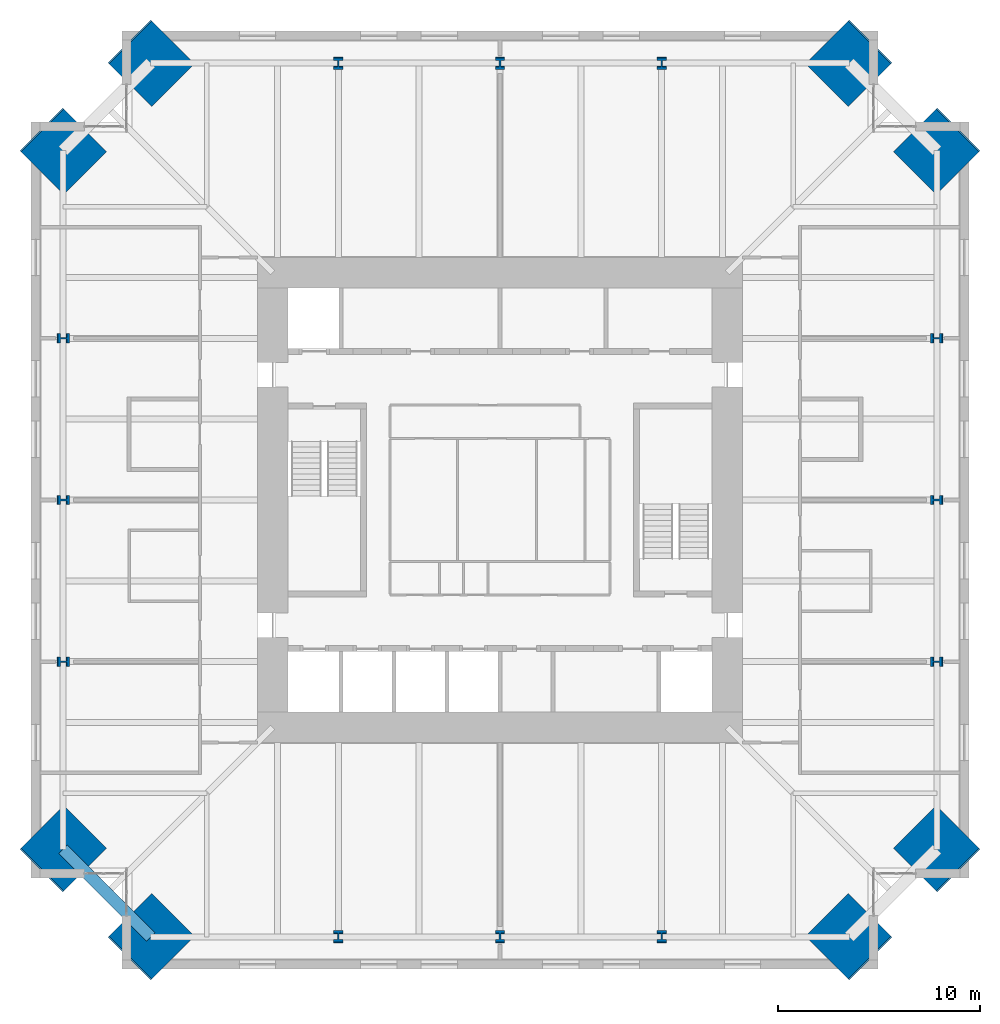
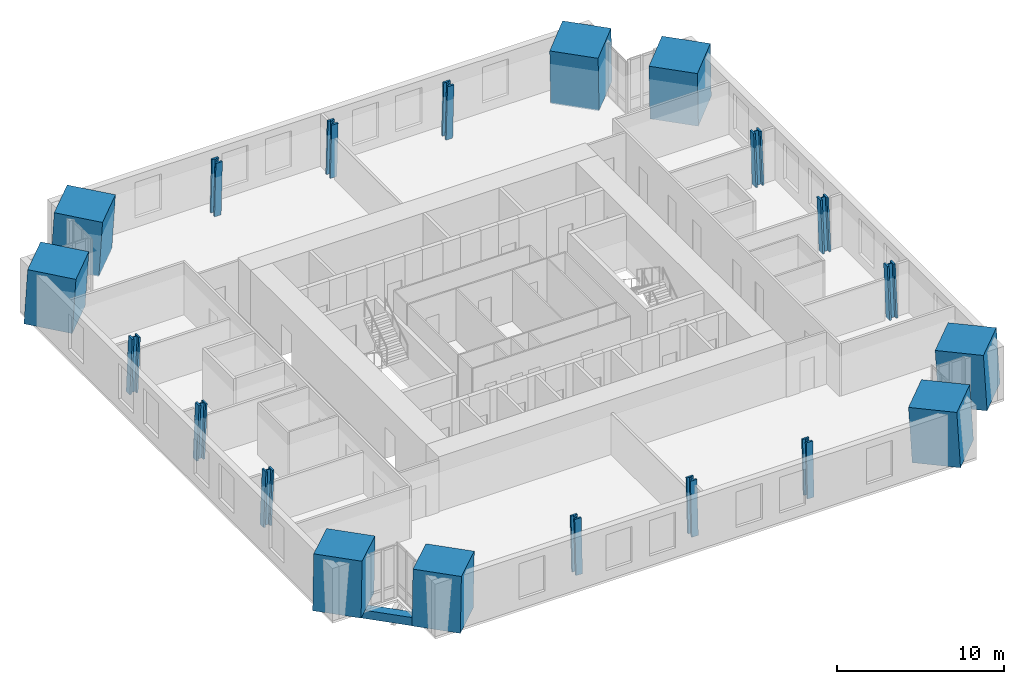
# One storey, part 1 of 15: 20 columns, 1 beam.
"""IFC4 building model written with IfcOpenShell, lengths in metres."""

from ifc_helpers import new_model, si_unit, direction, frame, origin, origin_2d, place, context, subcontext, project, spatial, rectangle, hollow_rectangle, i_section, extrude, material, material_profile, profile_set, type_object, element, save


model = new_model("IFC4")

# Units and contexts
model_context = context("Model", 3, precision=1e-05, world=origin(), true_north=direction((0.0, 1.0)))
body_context = subcontext(model_context, "Body", "Model", "MODEL_VIEW")
ifc_project = project(units=[si_unit("LENGTHUNIT", "METRE"), si_unit("AREAUNIT", "SQUARE_METRE"), si_unit("VOLUMEUNIT", "CUBIC_METRE"), si_unit("PLANEANGLEUNIT", "RADIAN"), si_unit("MASSUNIT", "GRAM", prefix="KILO")], contexts=[model_context])

# Site, building, storey
site_placement = place(None, origin())
site = spatial("IfcSite", under=ifc_project, at=site_placement, CompositionType="ELEMENT")
building_placement = place(site_placement, origin())
building = spatial("IfcBuilding", under=site, at=building_placement, Name="Peilmerk Tower", CompositionType="ELEMENT")
storey_placement = place(building_placement, frame((0.0, 0.0, 229.800048828125)))
storey = spatial("IfcBuildingStorey", under=building, at=storey_placement, Name="L50", CompositionType="ELEMENT", Elevation=229.800048828125)

# Columns
ifc_material_1 = material(Name="Concrete C90/105", Category="concrete")
ifc_material_profile_1 = material_profile(ifc_material_1, rectangle(XDim=3.0, YDim=3.0, at=origin_2d()), Name="RC 3000x3000")
ifc_profile_set_1 = profile_set([ifc_material_profile_1], Name="Concrete C90/105")
column_type_1 = type_object("IfcColumnType", Name="MC3 3000x3000 encased mega column", PredefinedType="COLUMN", material=ifc_profile_set_1)
for number, where, z_axis, x_axis, name in (
    (1, (17.28076171875, 21.630615234375, 0.0), (-0.040278731567, -0.040278731567, 0.998376305592), (0.707106781187, -0.707106781187, 0.0), "Mega column MC3 NE_N L50"),
    (2, (21.630615234375, 17.28076171875, 0.0), (-0.040278731567, -0.040278731567, 0.998376305592), (0.707106781187, -0.707106781187, 0.0), "Mega column MC3 NE_E L50"),
    (3, (21.630615234375, -17.28076171875, 0.0), (-0.040278731567, 0.040278731567, 0.998376305592), (-0.707106781187, -0.707106781187, 0.0), "Mega column MC3 SE_E L50"),
    (4, (17.28076171875, -21.630615234375, 0.0), (-0.040278731567, 0.040278731567, 0.998376305592), (-0.707106781187, -0.707106781187, 0.0), "Mega column MC3 SE_S L50"),
    (5, (-17.28076171875, -21.630615234375, 0.0), (0.040278731567, 0.040278731567, 0.998376305592), (-0.707106781187, 0.707106781187, 0.0), "Mega column MC3 SW_S L50"),
    (6, (-21.630615234375, -17.28076171875, 0.0), (0.040278731567, 0.040278731567, 0.998376305592), (-0.707106781187, 0.707106781187, 0.0), "Mega column MC3 SW_W L50"),
    (7, (-21.630615234375, 17.28076171875, 0.0), (0.040278731567, -0.040278731567, 0.998376305592), (0.707106781187, 0.707106781187, 0.0), "Mega column MC3 NW_W L50"),
    (8, (-17.28076171875, 21.630615234375, 0.0), (0.040278731567, -0.040278731567, 0.998376305592), (0.707106781187, 0.707106781187, 0.0), "Mega column MC3 NW_N L50"),
):
    element("IfcColumn", number, at=place(storey_placement, frame(where, z_axis=z_axis, x_axis=x_axis)), inside=storey, type_object=column_type_1, Name=name, PredefinedType="COLUMN", context=body_context, shape_type="SweptSolid", body=[
        extrude(rectangle(XDim=3.0, YDim=3.0, at=origin_2d()), origin(), (0.0, 0.0, 1.0), 4.006591796875),
    ])
ifc_material_2 = material(Name="Steel S460", Category="steel")
ifc_material_profile_2 = material_profile(ifc_material_2, i_section(OverallWidth=0.4541015625, OverallDepth=0.569091796875, WebThickness=0.077880859375, FlangeThickness=0.125, at=origin_2d()), Name="HD 400x1086")
ifc_profile_set_2 = profile_set([ifc_material_profile_2], Name="Steel S460")
column_type_2 = type_object("IfcColumnType", Name="SC6 HD 400x1086 interior column", PredefinedType="COLUMN", material=ifc_profile_set_2)
for number, where, z_axis, x_axis, name in (
    (9, (0.0, 21.630615234375, 0.0), (0.0, -0.040311445006, 0.999187163349), (1.0, 0.0, 0.0), "Perimeter column N+0 L50"),
    (10, (8.0, 21.630615234375, 0.0), (0.0, -0.040311445006, 0.999187163349), (1.0, 0.0, 0.0), "Perimeter column N-8 L50"),
    (11, (-8.0, 21.630615234375, 0.0), (0.0, -0.040311445006, 0.999187163349), (1.0, 0.0, 0.0), "Perimeter column N+8 L50"),
    (12, (21.630615234375, 0.0, 0.0), (-0.040311445006, 0.0, 0.999187163349), (0.0, -1.0, 0.0), "Perimeter column E+0 L50"),
    (13, (21.630615234375, -8.0, 0.0), (-0.040311445006, 0.0, 0.999187163349), (0.0, -1.0, 0.0), "Perimeter column E-8 L50"),
    (14, (21.630615234375, 8.0, 0.0), (-0.040311445006, 0.0, 0.999187163349), (0.0, -1.0, 0.0), "Perimeter column E+8 L50"),
    (15, (0.0, -21.630615234375, 0.0), (0.0, 0.040311445006, 0.999187163349), (-1.0, 0.0, 0.0), "Perimeter column S+0 L50"),
    (16, (-8.0, -21.630615234375, 0.0), (0.0, 0.040311445006, 0.999187163349), (-1.0, 0.0, 0.0), "Perimeter column S-8 L50"),
    (17, (8.0, -21.630615234375, 0.0), (0.0, 0.040311445006, 0.999187163349), (-1.0, 0.0, 0.0), "Perimeter column S+8 L50"),
    (18, (-21.630615234375, 0.0, 0.0), (0.040311445006, 0.0, 0.999187163349), (0.0, 1.0, 0.0), "Perimeter column W+0 L50"),
    (19, (-21.630615234375, 8.0, 0.0), (0.040311445006, 0.0, 0.999187163349), (0.0, 1.0, 0.0), "Perimeter column W-8 L50"),
    (20, (-21.630615234375, -8.0, 0.0), (0.040311445006, 0.0, 0.999187163349), (0.0, 1.0, 0.0), "Perimeter column W+8 L50"),
):
    element("IfcColumn", number, at=place(storey_placement, frame(where, z_axis=z_axis, x_axis=x_axis)), inside=storey, type_object=column_type_2, Name=name, PredefinedType="COLUMN", context=body_context, shape_type="SweptSolid", body=[
        extrude(i_section(OverallWidth=0.4541015625, OverallDepth=0.569091796875, WebThickness=0.077880859375, FlangeThickness=0.125, at=origin_2d()), origin(), (0.0, 0.0, 1.0), 4.003173828125),
    ])

# Beam
ifc_material_profile_3 = material_profile(ifc_material_2, hollow_rectangle(XDim=0.60009765625, YDim=0.60009765625, WallThickness=0.06005859375, at=origin_2d()), Name="BOX 600x600x60")
ifc_profile_set_3 = profile_set([ifc_material_profile_3], Name="Steel S460")
beam_type = type_object("IfcBeamType", Name="B20 BOX 600x600x60 notch beam", PredefinedType="SPANDREL", material=ifc_profile_set_3)
beam_placement = place(storey_placement, frame((-17.28076171875, -21.630615234375, -0.469970703125), z_axis=(-0.707106781187, 0.707106781187, 0.0), x_axis=(-0.707106781187, -0.707106781187, 0.0)))
element("IfcBeam", 21, at=beam_placement, inside=storey, type_object=beam_type, Name="Notch beam L50", PredefinedType="SPANDREL", context=body_context, shape_type="SweptSolid", body=[
    extrude(hollow_rectangle(XDim=0.60009765625, YDim=0.60009765625, WallThickness=0.06005859375, at=origin_2d()), origin(), (0.0, 0.0, 1.0), 6.151611328125),
])

save(model, "model.ifc")
